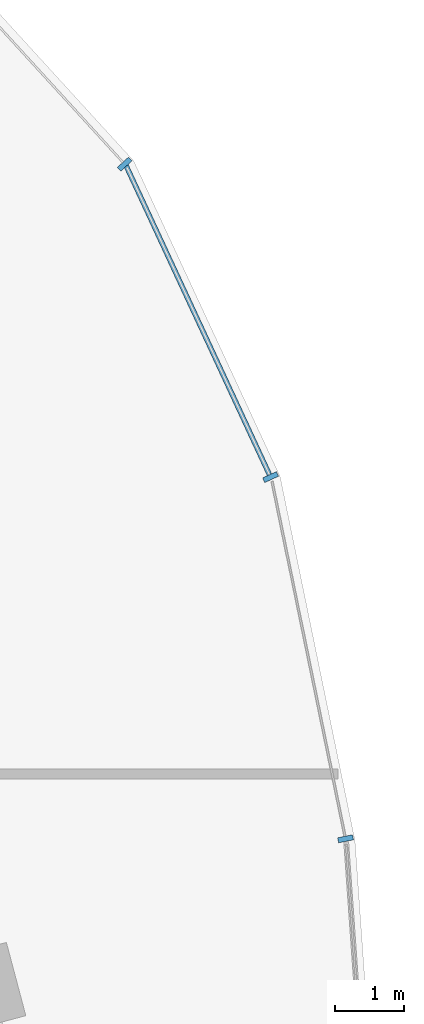
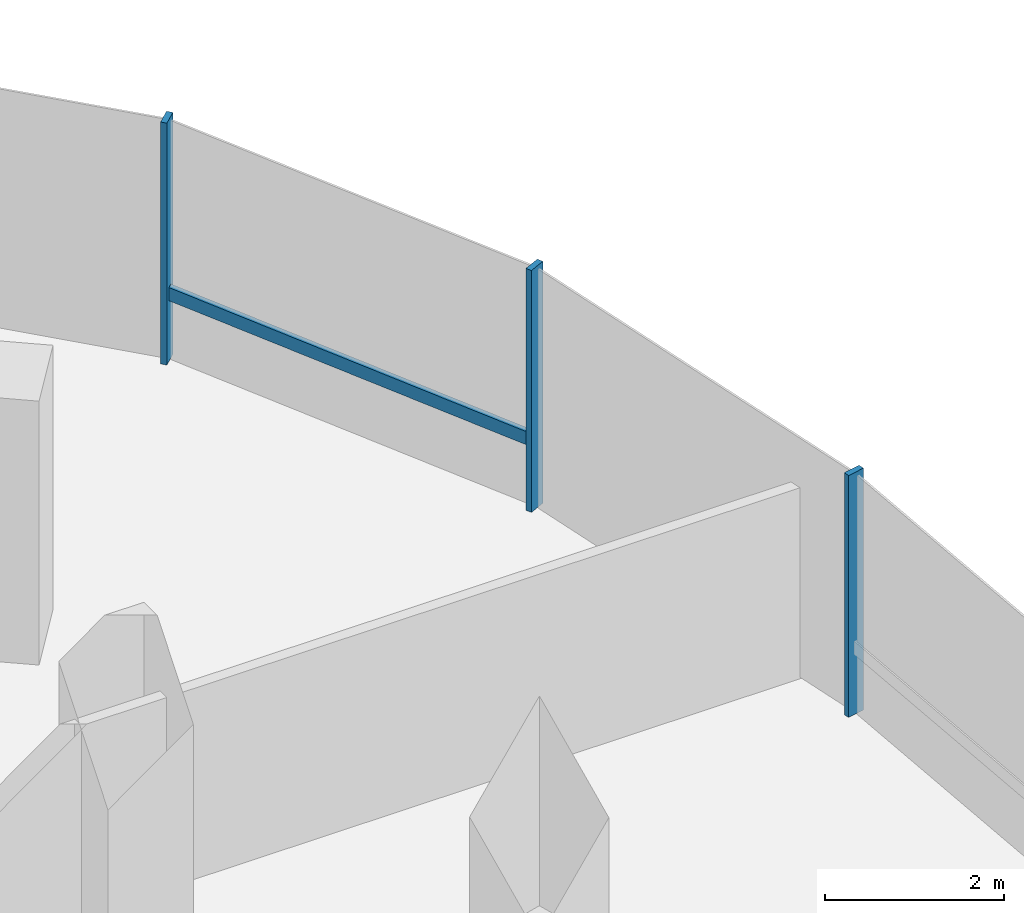
# One storey, part 8 of 21: 4 members, 1 element without a shape of its own.
"""IFC4 building model written with IfcOpenShell, lengths in metres."""

from ifc_helpers import new_model, si_unit, direction, frame, origin, origin_2d, place, context, subcontext, project, spatial, rectangle, extrude, material, material_profile, profile_set, type_object, element, aggregate, save


model = new_model("IFC4")

# Units and contexts
model_context = context("Model", 3, precision=1e-05, world=origin(), true_north=direction((0.0, 1.0)))
body_context = subcontext(model_context, "Body", "Model", "MODEL_VIEW")
ifc_project = project(units=[si_unit("LENGTHUNIT", "METRE"), si_unit("AREAUNIT", "SQUARE_METRE"), si_unit("VOLUMEUNIT", "CUBIC_METRE"), si_unit("PLANEANGLEUNIT", "RADIAN"), si_unit("MASSUNIT", "GRAM", prefix="KILO"), si_unit("THERMODYNAMICTEMPERATUREUNIT", "KELVIN"), si_unit("POWERUNIT", "WATT")], contexts=[model_context])

# Site, building, storey
site_placement = place(None, origin())
site = spatial("IfcSite", under=ifc_project, at=site_placement, CompositionType="ELEMENT")
building_placement = place(site_placement, origin())
building = spatial("IfcBuilding", under=site, at=building_placement, Name="Cundina Bronze Exchange", CompositionType="ELEMENT")
storey_placement = place(building_placement, frame((0.0, 0.0, 99.800048828125)))
storey = spatial("IfcBuildingStorey", under=building, at=storey_placement, Name="L25", CompositionType="ELEMENT", Elevation=99.800048828125)

# Curtain wall, members
ifc_material = material(Name="Anodised Bronze Aluminium 6063-T6", Category="aluminium")
curtain_wall_type = type_object("IfcCurtainWallType", Name="CWS-TRD-MID", PredefinedType="NOTDEFINED", material=ifc_material)
curtain_wall_placement = place(storey_placement, origin())
curtain_wall = element("IfcCurtainWall", 1, at=curtain_wall_placement, inside=storey, type_object=curtain_wall_type, Name="L25 CW-03 Curtain Wall Run CWR-L25-E1", PredefinedType="NOTDEFINED")
ifc_material_profile_1 = material_profile(ifc_material, rectangle(XDim=0.074951171875, YDim=0.219970703125, at=origin_2d()), Name="AL75X220", Category="aluminium")
ifc_profile_set_1 = profile_set([ifc_material_profile_1], Name="Anodised Bronze Aluminium 6063-T6")
member_type_1 = type_object("IfcMemberType", Name="CWM-MUL-220", PredefinedType="MULLION", material=ifc_profile_set_1)
member_1_placement = place(storey_placement, frame((50.717041015625, 8.67822265625, 0.0), z_axis=(0.0, 0.0, 1.0), x_axis=(-0.201419845156, 0.979505000486, 0.0)))
member_1 = element("IfcMember", 2, at=member_1_placement, type_object=member_type_1, Name="CW-03 Mullion 2", PredefinedType="MULLION", context=body_context, shape_type="SweptSolid", body=[
    extrude(rectangle(XDim=0.074951171875, YDim=0.219970703125, at=origin_2d()), origin(), (0.0, 0.0, 1.0), 3.300048828125),
])
member_2_placement = place(storey_placement, frame((49.6279296875, 13.931884765625, 0.0), z_axis=(0.0, 0.0, 1.0), x_axis=(-0.42087749791, 0.907117485088, 0.0)))
member_2 = element("IfcMember", 3, at=member_2_placement, type_object=member_type_1, Name="CW-03 Mullion 3", PredefinedType="MULLION", context=body_context, shape_type="SweptSolid", body=[
    extrude(rectangle(XDim=0.074951171875, YDim=0.219970703125, at=origin_2d()), origin(), (0.0, 0.0, 1.0), 3.300048828125),
])
member_3_placement = place(storey_placement, frame((47.508544921875, 18.47705078125, 0.0), z_axis=(0.0, 0.0, 1.0), x_axis=(-0.674302387584, 0.738455340626, 0.0)))
member_3 = element("IfcMember", 4, at=member_3_placement, type_object=member_type_1, Name="CW-03 Mullion 4", PredefinedType="MULLION", context=body_context, shape_type="SweptSolid", body=[
    extrude(rectangle(XDim=0.074951171875, YDim=0.219970703125, at=origin_2d()), origin(), (0.0, 0.0, 1.0), 3.300048828125),
])
ifc_material_profile_2 = material_profile(ifc_material, rectangle(XDim=0.070068359375, YDim=0.179931640625, at=origin_2d()), Name="AL70X180", Category="aluminium")
ifc_profile_set_2 = profile_set([ifc_material_profile_2], Name="Anodised Bronze Aluminium 6063-T6")
member_type_2 = type_object("IfcMemberType", Name="CWM-TRN-180", PredefinedType="USERDEFINED", material=ifc_profile_set_2)
member_4_placement = place(storey_placement, frame((49.610595703125, 13.96923828125, 0.919921875), z_axis=(-0.420811422796, 0.907148139195, 0.0), x_axis=(-0.907148139195, -0.420811422796, 0.0)))
member_4 = element("IfcMember", 5, at=member_4_placement, type_object=member_type_2, Name="CW-03 Spandrel Transom 3", ObjectType="TRANSOM", PredefinedType="USERDEFINED", context=body_context, shape_type="SweptSolid", body=[
    extrude(rectangle(XDim=0.070068359375, YDim=0.179931640625, at=origin_2d()), origin(), (0.0, 0.0, 1.0), 4.95166015625),
])
aggregate(curtain_wall, [member_1, member_2, member_4, member_3])

save(model, "model.ifc")
